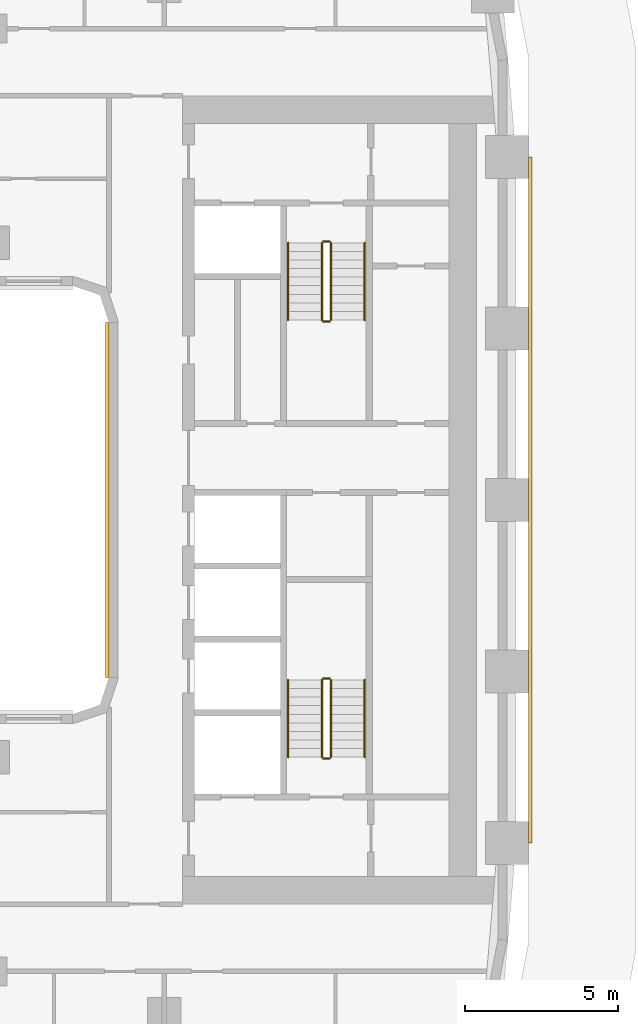
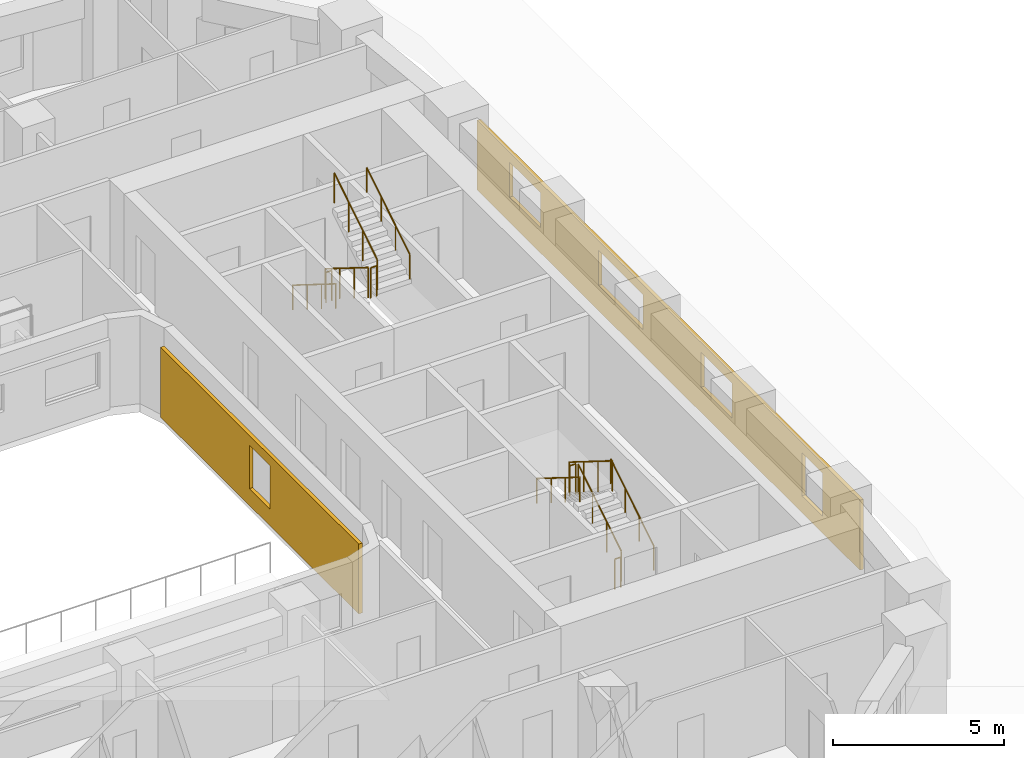
# One storey, part 16 of 18: 12 railings, 2 coverings.
"""IFC4 building model written with IfcOpenShell, lengths in metres."""

from ifc_helpers import new_model, si_unit, direction, frame, origin, origin_2d, place, context, subcontext, project, spatial, polyline, circle, outline, extrude, material, layer, layer_set, type_object, element, save


model = new_model("IFC4")

# Units and contexts
model_context = context("Model", 3, precision=1e-05, world=origin(), true_north=direction((0.0, 1.0)))
body_context = subcontext(model_context, "Body", "Model", "MODEL_VIEW")
ifc_project = project(units=[si_unit("LENGTHUNIT", "METRE"), si_unit("AREAUNIT", "SQUARE_METRE"), si_unit("VOLUMEUNIT", "CUBIC_METRE"), si_unit("PLANEANGLEUNIT", "RADIAN"), si_unit("MASSUNIT", "GRAM", prefix="KILO")], contexts=[model_context])

# Site, building, storey
site_placement = place(None, origin())
site = spatial("IfcSite", under=ifc_project, at=site_placement, CompositionType="ELEMENT")
building_placement = place(site_placement, origin())
building = spatial("IfcBuilding", under=site, at=building_placement, Name="Kiln Ring Residences", CompositionType="ELEMENT")
storey_placement = place(building_placement, frame((0.0, 0.0, 69.0)))
storey = spatial("IfcBuildingStorey", under=building, at=storey_placement, Name="L17", CompositionType="ELEMENT", Elevation=69.0)

# Railings
ifc_material_1 = material(Name="Stainless steel", Category="steel")
railing_type_1 = type_object("IfcRailingType", Name="CORE-STAIR-GUARD", PredefinedType="GUARDRAIL", material=ifc_material_1)
railing_1_placement = place(storey_placement, frame((21.949951171875, 8.39990234375, 0.175048828125)))
element("IfcRailing", 1, at=railing_1_placement, inside=storey, type_object=railing_type_1, Name="L17 E-STN stair guard 1", PredefinedType="GUARDRAIL", context=body_context, shape_type="SweptSolid", body=[
    extrude(circle(Radius=0.02392578125, at=origin_2d()), frame((0.0, 0.0, 1.076171875), z_axis=(0.0, -0.848007534815, 0.529984170421), x_axis=(1.0, 0.0, 0.0)), (0.0, 0.0, 1.0), 2.9716796875),
    extrude(circle(Radius=0.02099609375, at=origin_2d()), origin(), (0.0, 0.0, 1.0), 1.052001953125),
    extrude(circle(Radius=0.02099609375, at=origin_2d()), frame((0.0, -0.840087890625, 0.52490234375)), (0.0, 0.0, 1.0), 1.052001953125),
    extrude(circle(Radius=0.02099609375, at=origin_2d()), frame((0.0, -1.679931640625, 1.050048828125)), (0.0, 0.0, 1.0), 1.052001953125),
    extrude(circle(Radius=0.02099609375, at=origin_2d()), frame((0.0, -2.52001953125, 1.574951171875)), (0.0, 0.0, 1.0), 1.052001953125),
])
railing_2_placement = place(storey_placement, frame((22.0, 5.830078125, 1.75)))
element("IfcRailing", 2, at=railing_2_placement, inside=storey, type_object=railing_type_1, Name="L17 E-STN stair guard 2", PredefinedType="GUARDRAIL", context=body_context, shape_type="SweptSolid", body=[
    extrude(circle(Radius=0.02392578125, at=origin_2d()), frame((0.0, 0.0, 1.076171875), z_axis=(1.0, 0.0, 0.0), x_axis=(0.0, 1.0, 0.0)), (0.0, 0.0, 1.0), 0.199951171875),
    extrude(circle(Radius=0.02099609375, at=origin_2d()), origin(), (0.0, 0.0, 1.0), 1.052001953125),
    extrude(circle(Radius=0.02099609375, at=origin_2d()), frame((0.199951171875, 0.0, 0.0)), (0.0, 0.0, 1.0), 1.052001953125),
])
railing_3_placement = place(storey_placement, frame((22.25, 5.8798828125, 1.925048828125)))
element("IfcRailing", 3, at=railing_3_placement, inside=storey, type_object=railing_type_1, Name="L17 E-STN stair guard 3", PredefinedType="GUARDRAIL", context=body_context, shape_type="SweptSolid", body=[
    extrude(circle(Radius=0.02392578125, at=origin_2d()), frame((0.0, 0.0, 1.076171875), z_axis=(0.0, 0.848007534815, 0.529984170421), x_axis=(-1.0, 0.0, 0.0)), (0.0, 0.0, 1.0), 2.9716796875),
    extrude(circle(Radius=0.02099609375, at=origin_2d()), origin(), (0.0, 0.0, 1.0), 1.052001953125),
    extrude(circle(Radius=0.02099609375, at=origin_2d()), frame((0.0, 0.840087890625, 0.52490234375)), (0.0, 0.0, 1.0), 1.052001953125),
    extrude(circle(Radius=0.02099609375, at=origin_2d()), frame((0.0, 1.679931640625, 1.050048828125)), (0.0, 0.0, 1.0), 1.052001953125),
    extrude(circle(Radius=0.02099609375, at=origin_2d()), frame((0.0, 2.52001953125, 1.574951171875)), (0.0, 0.0, 1.0), 1.052001953125),
])
railing_4_placement = place(storey_placement, frame((22.0, 8.449951171875, 0.0)))
element("IfcRailing", 4, at=railing_4_placement, inside=storey, type_object=railing_type_1, Name="L17 E-STN stair guard 4", PredefinedType="GUARDRAIL", context=body_context, shape_type="SweptSolid", body=[
    extrude(circle(Radius=0.02392578125, at=origin_2d()), frame((0.0, 0.0, 1.076171875), z_axis=(1.0, 0.0, 0.0), x_axis=(0.0, 1.0, 0.0)), (0.0, 0.0, 1.0), 0.199951171875),
    extrude(circle(Radius=0.02099609375, at=origin_2d()), origin(), (0.0, 0.0, 1.0), 1.052001953125),
    extrude(circle(Radius=0.02099609375, at=origin_2d()), frame((0.199951171875, 0.0, 0.0)), (0.0, 0.0, 1.0), 1.052001953125),
])
railing_5_placement = place(storey_placement, frame((22.25, -8.39990234375, 0.175048828125)))
element("IfcRailing", 5, at=railing_5_placement, inside=storey, type_object=railing_type_1, Name="L17 E-STS stair guard 1", PredefinedType="GUARDRAIL", context=body_context, shape_type="SweptSolid", body=[
    extrude(circle(Radius=0.02392578125, at=origin_2d()), frame((0.0, 0.0, 1.076171875), z_axis=(0.0, 0.848007534815, 0.529984170421), x_axis=(-1.0, 0.0, 0.0)), (0.0, 0.0, 1.0), 2.9716796875),
    extrude(circle(Radius=0.02099609375, at=origin_2d()), origin(), (0.0, 0.0, 1.0), 1.052001953125),
    extrude(circle(Radius=0.02099609375, at=origin_2d()), frame((0.0, 0.840087890625, 0.52490234375)), (0.0, 0.0, 1.0), 1.052001953125),
    extrude(circle(Radius=0.02099609375, at=origin_2d()), frame((0.0, 1.679931640625, 1.050048828125)), (0.0, 0.0, 1.0), 1.052001953125),
    extrude(circle(Radius=0.02099609375, at=origin_2d()), frame((0.0, 2.52001953125, 1.574951171875)), (0.0, 0.0, 1.0), 1.052001953125),
])
railing_6_placement = place(storey_placement, frame((22.199951171875, -5.830078125, 1.75)))
element("IfcRailing", 6, at=railing_6_placement, inside=storey, type_object=railing_type_1, Name="L17 E-STS stair guard 2", PredefinedType="GUARDRAIL", context=body_context, shape_type="SweptSolid", body=[
    extrude(circle(Radius=0.02392578125, at=origin_2d()), frame((0.0, 0.0, 1.076171875), z_axis=(-1.0, 0.0, 0.0), x_axis=(0.0, -1.0, 0.0)), (0.0, 0.0, 1.0), 0.199951171875),
    extrude(circle(Radius=0.02099609375, at=origin_2d()), origin(), (0.0, 0.0, 1.0), 1.052001953125),
    extrude(circle(Radius=0.02099609375, at=origin_2d()), frame((-0.199951171875, 0.0, 0.0)), (0.0, 0.0, 1.0), 1.052001953125),
])
railing_7_placement = place(storey_placement, frame((21.949951171875, -5.8798828125, 1.925048828125)))
element("IfcRailing", 7, at=railing_7_placement, inside=storey, type_object=railing_type_1, Name="L17 E-STS stair guard 3", PredefinedType="GUARDRAIL", context=body_context, shape_type="SweptSolid", body=[
    extrude(circle(Radius=0.02392578125, at=origin_2d()), frame((0.0, 0.0, 1.076171875), z_axis=(0.0, -0.848007534815, 0.529984170421), x_axis=(1.0, 0.0, 0.0)), (0.0, 0.0, 1.0), 2.9716796875),
    extrude(circle(Radius=0.02099609375, at=origin_2d()), origin(), (0.0, 0.0, 1.0), 1.052001953125),
    extrude(circle(Radius=0.02099609375, at=origin_2d()), frame((0.0, -0.840087890625, 0.52490234375)), (0.0, 0.0, 1.0), 1.052001953125),
    extrude(circle(Radius=0.02099609375, at=origin_2d()), frame((0.0, -1.679931640625, 1.050048828125)), (0.0, 0.0, 1.0), 1.052001953125),
    extrude(circle(Radius=0.02099609375, at=origin_2d()), frame((0.0, -2.52001953125, 1.574951171875)), (0.0, 0.0, 1.0), 1.052001953125),
])
railing_8_placement = place(storey_placement, frame((22.199951171875, -8.449951171875, 0.0)))
element("IfcRailing", 8, at=railing_8_placement, inside=storey, type_object=railing_type_1, Name="L17 E-STS stair guard 4", PredefinedType="GUARDRAIL", context=body_context, shape_type="SweptSolid", body=[
    extrude(circle(Radius=0.02392578125, at=origin_2d()), frame((0.0, 0.0, 1.076171875), z_axis=(-1.0, 0.0, 0.0), x_axis=(0.0, -1.0, 0.0)), (0.0, 0.0, 1.0), 0.199951171875),
    extrude(circle(Radius=0.02099609375, at=origin_2d()), origin(), (0.0, 0.0, 1.0), 1.052001953125),
    extrude(circle(Radius=0.02099609375, at=origin_2d()), frame((-0.199951171875, 0.0, 0.0)), (0.0, 0.0, 1.0), 1.052001953125),
])
ifc_material_2 = material(Name="Stainless steel", Category="steel")
railing_type_2 = type_object("IfcRailingType", Name="CORE-STAIR-HANDRAIL", PredefinedType="HANDRAIL", material=ifc_material_2)
railing_9_placement = place(storey_placement, frame((20.85009765625, 8.39990234375, 0.175048828125)))
element("IfcRailing", 9, at=railing_9_placement, inside=storey, type_object=railing_type_2, Name="L17 E-STN stair handrail 1", PredefinedType="HANDRAIL", context=body_context, shape_type="SweptSolid", body=[
    extrude(circle(Radius=0.02392578125, at=origin_2d()), frame((0.0, 0.0, 0.8759765625), z_axis=(0.0, -0.848007534815, 0.529984170421), x_axis=(1.0, 0.0, 0.0)), (0.0, 0.0, 1.0), 2.9716796875),
    extrude(circle(Radius=0.02099609375, at=origin_2d()), origin(), (0.0, 0.0, 1.0), 0.851806640625),
    extrude(circle(Radius=0.02099609375, at=origin_2d()), frame((0.0, -0.840087890625, 0.52490234375)), (0.0, 0.0, 1.0), 0.851806640625),
    extrude(circle(Radius=0.02099609375, at=origin_2d()), frame((0.0, -1.679931640625, 1.050048828125)), (0.0, 0.0, 1.0), 0.851806640625),
    extrude(circle(Radius=0.02099609375, at=origin_2d()), frame((0.0, -2.52001953125, 1.574951171875)), (0.0, 0.0, 1.0), 0.851806640625),
])
for number, where, name in (
    (10, (23.35009765625, 5.8798828125, 1.925048828125), "L17 E-STN stair handrail 2"),
    (11, (23.35009765625, -8.39990234375, 0.175048828125), "L17 E-STS stair handrail 1"),
):
    element("IfcRailing", number, at=place(storey_placement, frame(where)), inside=storey, type_object=railing_type_2, Name=name, PredefinedType="HANDRAIL", context=body_context, shape_type="SweptSolid", body=[
        extrude(circle(Radius=0.02392578125, at=origin_2d()), frame((0.0, 0.0, 0.8759765625), z_axis=(0.0, 0.848007534815, 0.529984170421), x_axis=(-1.0, 0.0, 0.0)), (0.0, 0.0, 1.0), 2.9716796875),
        extrude(circle(Radius=0.02099609375, at=origin_2d()), origin(), (0.0, 0.0, 1.0), 0.851806640625),
        extrude(circle(Radius=0.02099609375, at=origin_2d()), frame((0.0, 0.840087890625, 0.52490234375)), (0.0, 0.0, 1.0), 0.851806640625),
        extrude(circle(Radius=0.02099609375, at=origin_2d()), frame((0.0, 1.679931640625, 1.050048828125)), (0.0, 0.0, 1.0), 0.851806640625),
        extrude(circle(Radius=0.02099609375, at=origin_2d()), frame((0.0, 2.52001953125, 1.574951171875)), (0.0, 0.0, 1.0), 0.851806640625),
    ])
railing_10_placement = place(storey_placement, frame((20.85009765625, -5.8798828125, 1.925048828125)))
element("IfcRailing", 12, at=railing_10_placement, inside=storey, type_object=railing_type_2, Name="L17 E-STS stair handrail 2", PredefinedType="HANDRAIL", context=body_context, shape_type="SweptSolid", body=[
    extrude(circle(Radius=0.02392578125, at=origin_2d()), frame((0.0, 0.0, 0.8759765625), z_axis=(0.0, -0.848007534815, 0.529984170421), x_axis=(1.0, 0.0, 0.0)), (0.0, 0.0, 1.0), 2.9716796875),
    extrude(circle(Radius=0.02099609375, at=origin_2d()), origin(), (0.0, 0.0, 1.0), 0.851806640625),
    extrude(circle(Radius=0.02099609375, at=origin_2d()), frame((0.0, -0.840087890625, 0.52490234375)), (0.0, 0.0, 1.0), 0.851806640625),
    extrude(circle(Radius=0.02099609375, at=origin_2d()), frame((0.0, -1.679931640625, 1.050048828125)), (0.0, 0.0, 1.0), 0.851806640625),
    extrude(circle(Radius=0.02099609375, at=origin_2d()), frame((0.0, -2.52001953125, 1.574951171875)), (0.0, 0.0, 1.0), 0.851806640625),
])

# Coverings
ifc_material_3 = material(Name="Brick masonry, dark clay brick", Category="masonry")
ifc_layer = layer(ifc_material_3, 0.1201171875)
ifc_layer_set = layer_set([ifc_layer], Name="RAINSCREEN PANEL 120")
covering_type = type_object("IfcCoveringType", Name="RAINSCREEN PANEL 120", PredefinedType="CLADDING", material=ifc_layer_set)
covering_1_placement = place(storey_placement, frame((28.760009765625, -11.199951171875, 0.0), z_axis=(0.0, 0.0, 1.0), x_axis=(0.0, 1.0, 0.0)))
element("IfcCovering", 13, at=covering_1_placement, inside=storey, type_object=covering_type, Name="RAINSCREEN L17", PredefinedType="CLADDING", context=body_context, shape_type="SweptSolid", body=[
    extrude(outline(polyline([(0.0, 0.0), (22.39990234375, 0.0), (22.39990234375, 2.5), (0.0, 2.5), (0.0, 0.0)]), holes=[polyline([(3.39990234375, 0.60009765625), (3.39990234375, 2.14990234375), (2.199951171875, 2.14990234375), (2.199951171875, 0.60009765625), (3.39990234375, 0.60009765625)]), polyline([(9.300048828125, 0.89990234375), (9.300048828125, 2.14990234375), (7.5, 2.14990234375), (7.5, 0.89990234375), (9.300048828125, 0.89990234375)]), polyline([(15.300048828125, 0.89990234375), (15.300048828125, 2.14990234375), (12.699951171875, 2.14990234375), (12.699951171875, 0.89990234375), (15.300048828125, 0.89990234375)]), polyline([(20.5, 0.89990234375), (20.5, 2.14990234375), (18.699951171875, 2.14990234375), (18.699951171875, 0.89990234375), (20.5, 0.89990234375)])]), frame((0.0, 0.06005859375, 0.0), z_axis=(0.0, -1.0, 0.0), x_axis=(1.0, 0.0, 0.0)), (0.0, 0.0, 1.0), 0.1201171875),
])
covering_2_placement = place(storey_placement, frame((14.93994140625, 5.800048828125, 0.0), z_axis=(0.0, 0.0, 1.0), x_axis=(0.0, -1.0, 0.0)))
element("IfcCovering", 14, at=covering_2_placement, inside=storey, type_object=covering_type, Name="RAINSCREEN L17", PredefinedType="CLADDING", context=body_context, shape_type="SweptSolid", body=[
    extrude(outline(polyline([(0.0, 0.0), (11.60009765625, 0.0), (11.60009765625, 2.5), (0.0, 2.5), (0.0, 0.0)]), holes=[polyline([(5.199951171875, 2.14990234375), (5.199951171875, 0.60009765625), (6.39990234375, 0.60009765625), (6.39990234375, 2.14990234375), (5.199951171875, 2.14990234375)])]), frame((0.0, 0.06005859375, 0.0), z_axis=(0.0, -1.0, 0.0), x_axis=(1.0, 0.0, 0.0)), (0.0, 0.0, 1.0), 0.1201171875),
])

save(model, "model.ifc")
